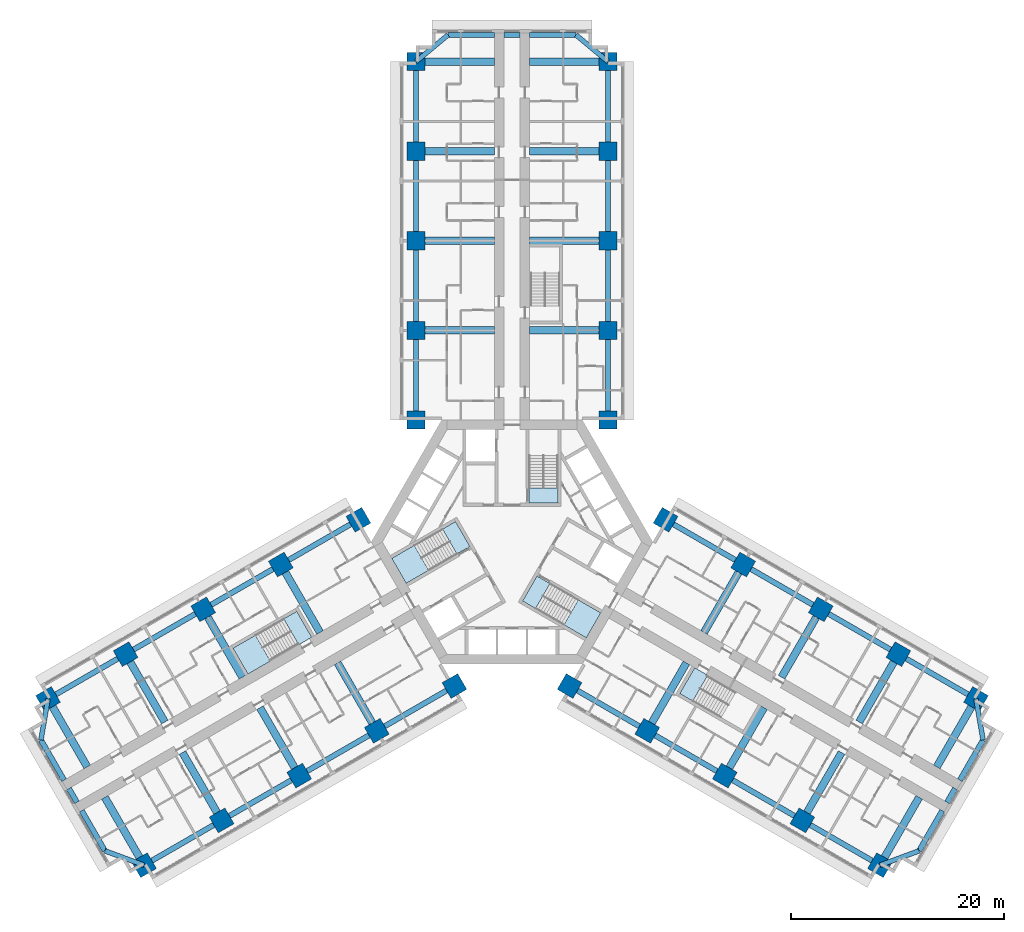
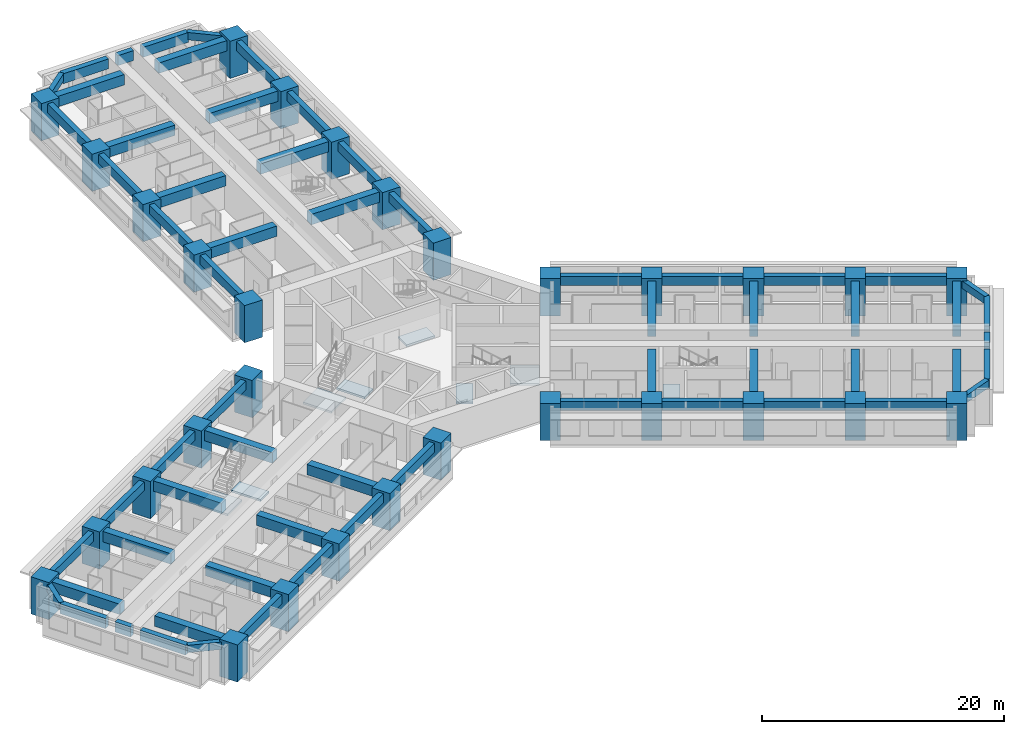
# One storey, part 1 of 16: 63 beams, 30 columns, 8 slabs, 5 elements without a shape of their own.
"""IFC4 building model written with IfcOpenShell, lengths in metres."""

import ifcopenshell
import ifcopenshell.guid

model = None  # the IFC model being written
_history = None  # IfcOwnerHistory: only IFC2X3 demands one
_inside = {}  # id of a spatial element -> (the spatial element, [elements in it])
_under = {}  # id of a project, library or spatial element -> (it, [spatial elements below it])
_declared = {}  # id of a project -> (the project, [libraries it declares])
_typed = {}  # id of a type object -> (the type object, [elements of that type])
_made_of = {}  # id of a material, layer set ... -> (it, [elements and type objects made of it])


def new_model(schema):
    """Start an empty IFC model of exactly this schema.

    Asked for "IFC4X3", IfcOpenShell would pick the latest addendum, in which some entities
    have other attributes; the version numbers below select the first issue.
    IFC2X3 requires an IfcOwnerHistory on every rooted entity: one is made here for all.
    """
    global model, _history
    if schema == "IFC4X3":
        model = ifcopenshell.file(schema_version=(4, 3, 0, 0))
    else:
        model = ifcopenshell.file(schema=schema)
    _inside.clear()
    _under.clear()
    _declared.clear()
    _typed.clear()
    _made_of.clear()
    _history = None
    if model.schema == "IFC2X3":
        org = make("IfcOrganization", Name="unknown")
        user = make(
            "IfcPersonAndOrganization",
            ThePerson=make("IfcPerson", FamilyName="unknown"),
            TheOrganization=org,
        )
        app = make(
            "IfcApplication",
            ApplicationDeveloper=org,
            Version="unknown",
            ApplicationFullName="unknown",
            ApplicationIdentifier="unknown",
        )
        _history = make(
            "IfcOwnerHistory",
            OwningUser=user,
            OwningApplication=app,
            ChangeAction="ADDED",
            CreationDate=0,
        )
    return model


def make(cls, **values):
    """One entity of the class cls with the attributes given. An attribute that is None is left unset."""
    return model.create_entity(
        cls, **{name: value for name, value in values.items() if value is not None}
    )


def rooted(cls, **values):
    """An entity with a GlobalId (a new one), such as an element, a storey or a relation."""
    return make(cls, GlobalId=ifcopenshell.guid.new(), OwnerHistory=_history, **values)


def si_unit(unit_type, name, prefix=None):
    """IfcSIUnit, for example si_unit("LENGTHUNIT", "METRE", prefix="MILLI")."""
    return make("IfcSIUnit", UnitType=unit_type, Prefix=prefix, Name=name)


def assignment(units):
    """IfcUnitAssignment: the units of a project."""
    return None if units is None else make("IfcUnitAssignment", Units=units)


def point(xyz):
    """IfcCartesianPoint."""
    return None if xyz is None else make("IfcCartesianPoint", Coordinates=xyz)


def direction(xyz):
    """IfcDirection."""
    return None if xyz is None else make("IfcDirection", DirectionRatios=xyz)


def frame(location, z_axis=None, x_axis=None):
    """IfcAxis2Placement3D, a coordinate frame: its origin and axes. An axis left out is left unset."""
    return make(
        "IfcAxis2Placement3D",
        Location=point(location),
        Axis=direction(z_axis),
        RefDirection=direction(x_axis),
    )


def frame_2d(location, x_axis=None):
    """IfcAxis2Placement2D, a coordinate frame in the plane: its origin and x axis."""
    return make(
        "IfcAxis2Placement2D", Location=point(location), RefDirection=direction(x_axis)
    )


def origin():
    """The frame at (0, 0, 0) with its axes left unset."""
    return frame((0.0, 0.0, 0.0))


def origin_2d():
    """The frame at (0, 0) in the plane with its x axis left unset."""
    return frame_2d((0.0, 0.0))


def place(relative_to, where):
    """IfcLocalPlacement: puts the frame where relative to a parent placement (None: the world)."""
    return make(
        "IfcLocalPlacement", PlacementRelTo=relative_to, RelativePlacement=where
    )


def context(
    kind, dimensions, precision=None, world=None, true_north=None, identifier=None
):
    """IfcGeometricRepresentationContext, for example the 3D "Model" context."""
    return make(
        "IfcGeometricRepresentationContext",
        ContextIdentifier=identifier,
        ContextType=kind,
        CoordinateSpaceDimension=dimensions,
        Precision=precision,
        WorldCoordinateSystem=world,
        TrueNorth=true_north,
    )


def subcontext(parent, identifier, kind, view, scale=None):
    """IfcGeometricRepresentationSubContext, for example "Body" below "Model"."""
    return make(
        "IfcGeometricRepresentationSubContext",
        ContextIdentifier=identifier,
        ContextType=kind,
        ParentContext=parent,
        TargetScale=scale,
        TargetView=view,
    )


def project(units=None, contexts=None):
    """IfcProject with its units and contexts."""
    return rooted(
        "IfcProject",
        Name="project",
        RepresentationContexts=contexts,
        UnitsInContext=assignment(units),
    )


def spatial(cls, under=None, at=None, **own):
    """A site, building, storey or space (cls), placed at a placement, below another one or the project."""
    s = rooted(cls, ObjectPlacement=at, **own)
    if under is not None:
        _under.setdefault(under.id(), (under, []))[1].append(s)
    return s


def polyline(points):
    """IfcPolyline through the points."""
    return make("IfcPolyline", Points=[point(p) for p in points])


def profile(cls, at=None, kind="AREA", **sizes):
    """A parametric profile (cls). Its sizes go by their IFC names, for example OverallWidth=200.0."""
    return make(cls, ProfileType=kind, Position=at, **sizes)


def rectangle(**sizes):
    """IfcRectangleProfileDef."""
    return profile("IfcRectangleProfileDef", **sizes)


def outline(outer, holes=None, kind="AREA"):
    """IfcArbitraryClosedProfileDef: a profile drawn as a closed curve; with holes, ...WithVoids."""
    if holes is None:
        return make("IfcArbitraryClosedProfileDef", ProfileType=kind, OuterCurve=outer)
    return make(
        "IfcArbitraryProfileDefWithVoids",
        ProfileType=kind,
        OuterCurve=outer,
        InnerCurves=holes,
    )


def extrude(swept, where, along, depth):
    """IfcExtrudedAreaSolid: the profile swept, set in the frame where, extruded along a direction by depth."""
    return make(
        "IfcExtrudedAreaSolid",
        SweptArea=swept,
        Position=where,
        ExtrudedDirection=direction(along),
        Depth=depth,
    )


def shape(context_of_items, identifier, shape_type, items):
    """IfcShapeRepresentation: the items that make up one representation, for example the "Body"."""
    return make(
        "IfcShapeRepresentation",
        ContextOfItems=context_of_items,
        RepresentationIdentifier=identifier,
        RepresentationType=shape_type,
        Items=items,
    )


def material(Name=None, Category=None):
    """IfcMaterial."""
    return make("IfcMaterial", Name=Name, Category=Category)


def layer(
    of_material, thickness, ventilated=None, Name=None, Category=None, Priority=None
):
    """IfcMaterialLayer: one layer of a wall or slab, of a material (None: an air gap)."""
    return make(
        "IfcMaterialLayer",
        Material=of_material,
        LayerThickness=thickness,
        IsVentilated=ventilated,
        Name=Name,
        Category=Category,
        Priority=Priority,
    )


def layer_set(layers, Name=None):
    """IfcMaterialLayerSet."""
    return make("IfcMaterialLayerSet", MaterialLayers=layers, LayerSetName=Name)


def material_profile(
    of_material, cross_section, Name=None, Category=None, Priority=None
):
    """IfcMaterialProfile: a cross section and its material."""
    return make(
        "IfcMaterialProfile",
        Name=Name,
        Material=of_material,
        Profile=cross_section,
        Priority=Priority,
        Category=Category,
    )


def profile_set(profiles, Name=None, composite=None):
    """IfcMaterialProfileSet."""
    return make(
        "IfcMaterialProfileSet",
        Name=Name,
        MaterialProfiles=profiles,
        CompositeProfile=composite,
    )


def made_of(thing, what):
    """Note that an element or type object is made of a material, layer set ...; save() writes the relation."""
    if what is not None:
        _made_of.setdefault(what.id(), (what, []))[1].append(thing)
    return thing


def type_object(cls, material=None, **own):
    """A type object (cls), such as IfcWallType, which elements share."""
    return made_of(rooted(cls, **own), material)


def element(
    cls,
    number,
    at=None,
    inside=None,
    cuts=None,
    type_object=None,
    material=None,
    context=None,
    identifier="Body",
    shape_type=None,
    held_by="IfcProductDefinitionShape",
    body=None,
    shapes=None,
    **own,
):
    """One element of the class cls, such as IfcWall. Its Tag is "e" and its number.

    at: its placement. inside: the storey or other place that contains it. cuts: it is an
    opening in that element (IfcRelVoidsElement). A single representation is given by context,
    identifier, shape_type and body (its items); several are given by shapes. held_by: the class
    of the entity that holds the representations. save() writes the other relations.
    """
    e = rooted(cls, Tag="e%d" % number, ObjectPlacement=at, **own)
    if body is not None:
        shapes = [shape(context, identifier, shape_type, body)]
    if shapes is not None:
        e.Representation = make(held_by, Representations=shapes)
    if inside is not None:
        _inside.setdefault(inside.id(), (inside, []))[1].append(e)
    if cuts is not None:
        rooted(
            "IfcRelVoidsElement", RelatingBuildingElement=cuts, RelatedOpeningElement=e
        )
    if type_object is not None:
        _typed.setdefault(type_object.id(), (type_object, []))[1].append(e)
    return made_of(e, material)


def aggregate(whole, parts):
    """IfcRelAggregates: a whole, such as a stair, and the parts it consists of."""
    return rooted("IfcRelAggregates", RelatingObject=whole, RelatedObjects=parts)


def save(model, path):
    """Write the relations noted so far, then the file.

    IfcRelAggregates (storeys below a building ...), IfcRelContainedInSpatialStructure (elements
    in a storey), IfcRelDefinesByType, IfcRelAssociatesMaterial and IfcRelDeclares: one each for
    every whole, place, type object, material and project.
    """
    for whole, parts in _under.values():
        aggregate(whole, parts)
    for where, things in _inside.values():
        rooted(
            "IfcRelContainedInSpatialStructure",
            RelatedElements=things,
            RelatingStructure=where,
        )
    for kind, things in _typed.values():
        rooted("IfcRelDefinesByType", RelatedObjects=things, RelatingType=kind)
    for what, things in _made_of.values():
        rooted("IfcRelAssociatesMaterial", RelatedObjects=things, RelatingMaterial=what)
    for by, libraries in _declared.values():
        rooted("IfcRelDeclares", RelatingContext=by, RelatedDefinitions=libraries)
    model.write(path)


model = new_model("IFC4")

# Units and contexts
model_context = context("Model", 3, precision=1e-05, world=origin(), true_north=direction((0.0, 1.0)))
body_context = subcontext(model_context, "Body", "Model", "MODEL_VIEW")
ifc_project = project(units=[si_unit("LENGTHUNIT", "METRE"), si_unit("AREAUNIT", "SQUARE_METRE"), si_unit("VOLUMEUNIT", "CUBIC_METRE"), si_unit("PLANEANGLEUNIT", "RADIAN"), si_unit("MASSUNIT", "GRAM", prefix="KILO")], contexts=[model_context])

# Site, building, storey
site_placement = place(None, origin())
site = spatial("IfcSite", under=ifc_project, at=site_placement, CompositionType="ELEMENT")
building_placement = place(site_placement, origin())
building = spatial("IfcBuilding", under=site, at=building_placement, Name="Impinga Residences", CompositionType="ELEMENT")
storey_placement = place(building_placement, frame((0.0, 0.0, 48.5)))
storey = spatial("IfcBuildingStorey", under=building, at=storey_placement, Name="L11", CompositionType="ELEMENT", Elevation=48.5)

# Columns
ifc_material_1 = material(Name="Concrete C70/85", Category="concrete")
ifc_material_profile_1 = material_profile(ifc_material_1, rectangle(XDim=1.699951171875, YDim=1.699951171875, at=origin_2d()), Name="RC 1700x1700")
ifc_profile_set_1 = profile_set([ifc_material_profile_1], Name="Concrete C70/85")
column_type = type_object("IfcColumnType", Name="C10 1700x1700 column", PredefinedType="COLUMN", material=ifc_profile_set_1)
for number, where, z_axis, x_axis, name in (
    (1, (-9.0, 11.431640625, 0.0), (0.0, 0.0, 1.0), (1.0, 0.0, 0.0), "Column C10 N1/NA L11"),
    (2, (9.0, 11.431640625, 0.0), (0.0, 0.0, 1.0), (1.0, 0.0, 0.0), "Column C10 N1/NF L11"),
    (3, (-9.0, 19.83154296875, 0.0), (0.0, 0.0, 1.0), (1.0, 0.0, 0.0), "Column C10 N2/NA L11"),
    (4, (9.0, 19.83154296875, 0.0), (0.0, 0.0, 1.0), (1.0, 0.0, 0.0), "Column C10 N2/NF L11"),
    (5, (-9.0, 28.2314453125, 0.0), (0.0, 0.0, 1.0), (1.0, 0.0, 0.0), "Column C10 N3/NA L11"),
    (6, (9.0, 28.2314453125, 0.0), (0.0, 0.0, 1.0), (1.0, 0.0, 0.0), "Column C10 N3/NF L11"),
    (7, (-9.0, 36.631591796875, 0.0), (0.0, 0.0, 1.0), (1.0, 0.0, 0.0), "Column C10 N4/NA L11"),
    (8, (9.0, 36.631591796875, 0.0), (0.0, 0.0, 1.0), (1.0, 0.0, 0.0), "Column C10 N4/NF L11"),
    (9, (-9.0, 45.031494140625, 0.0), (0.0, 0.0, 1.0), (1.0, 0.0, 0.0), "Column C10 N5/NA L11"),
    (10, (9.0, 45.031494140625, 0.0), (0.0, 0.0, 1.0), (1.0, 0.0, 0.0), "Column C10 N5/NF L11"),
    (11, (-5.39990234375, -13.510009765625, 0.0), (0.0, 0.0, 1.0), (-0.5, 0.866025403784, 0.0), "Column C10 W1/WA L11"),
    (12, (-14.39990234375, 2.078369140625, 0.0), (0.0, 0.0, 1.0), (-0.5, 0.866025403784, 0.0), "Column C10 W1/WF L11"),
    (13, (-12.674560546875, -17.7099609375, 0.0), (0.0, 0.0, 1.0), (-0.5, 0.866025403784, 0.0), "Column C10 W2/WA L11"),
    (14, (-21.674560546875, -2.12158203125, 0.0), (0.0, 0.0, 1.0), (-0.5, 0.866025403784, 0.0), "Column C10 W2/WF L11"),
    (15, (-19.94921875, -21.909912109375, 0.0), (0.0, 0.0, 1.0), (-0.5, 0.866025403784, 0.0), "Column C10 W3/WA L11"),
    (16, (-28.94921875, -6.321533203125, 0.0), (0.0, 0.0, 1.0), (-0.5, 0.866025403784, 0.0), "Column C10 W3/WF L11"),
    (17, (-27.223876953125, -26.110107421875, 0.0), (0.0, 0.0, 1.0), (-0.5, 0.866025403784, 0.0), "Column C10 W4/WA L11"),
    (18, (-36.223876953125, -10.521484375, 0.0), (0.0, 0.0, 1.0), (-0.5, 0.866025403784, 0.0), "Column C10 W4/WF L11"),
    (19, (-34.49853515625, -30.31005859375, 0.0), (0.0, 0.0, 1.0), (-0.5, 0.866025403784, 0.0), "Column C10 W5/WA L11"),
    (20, (-43.49853515625, -14.721435546875, 0.0), (0.0, 0.0, 1.0), (-0.5, 0.866025403784, 0.0), "Column C10 W5/WF L11"),
    (21, (14.39990234375, 2.078369140625, 0.0), (0.0, 0.0, 1.0), (-0.5, -0.866025403784, 0.0), "Column C10 E1/EA L11"),
    (22, (5.39990234375, -13.510009765625, 0.0), (0.0, 0.0, 1.0), (-0.5, -0.866025403784, 0.0), "Column C10 E1/EF L11"),
    (23, (21.674560546875, -2.12158203125, 0.0), (0.0, 0.0, 1.0), (-0.5, -0.866025403784, 0.0), "Column C10 E2/EA L11"),
    (24, (12.674560546875, -17.7099609375, 0.0), (0.0, 0.0, 1.0), (-0.5, -0.866025403784, 0.0), "Column C10 E2/EF L11"),
    (25, (28.94921875, -6.321533203125, 0.0), (0.0, 0.0, 1.0), (-0.5, -0.866025403784, 0.0), "Column C10 E3/EA L11"),
    (26, (19.94921875, -21.909912109375, 0.0), (0.0, 0.0, 1.0), (-0.5, -0.866025403784, 0.0), "Column C10 E3/EF L11"),
    (27, (36.223876953125, -10.521484375, 0.0), (0.0, 0.0, 1.0), (-0.5, -0.866025403784, 0.0), "Column C10 E4/EA L11"),
    (28, (27.223876953125, -26.110107421875, 0.0), (0.0, 0.0, 1.0), (-0.5, -0.866025403784, 0.0), "Column C10 E4/EF L11"),
    (29, (43.49853515625, -14.721435546875, 0.0), (0.0, 0.0, 1.0), (-0.5, -0.866025403784, 0.0), "Column C10 E5/EA L11"),
    (30, (34.49853515625, -30.31005859375, 0.0), (0.0, 0.0, 1.0), (-0.5, -0.866025403784, 0.0), "Column C10 E5/EF L11"),
):
    element("IfcColumn", number, at=place(storey_placement, frame(where, z_axis=z_axis, x_axis=x_axis)), inside=storey, type_object=column_type, Name=name, PredefinedType="COLUMN", context=body_context, shape_type="SweptSolid", body=[
        extrude(rectangle(XDim=1.699951171875, YDim=1.699951171875, at=origin_2d()), origin(), (0.0, 0.0, 1.0), 3.75),
    ])

# Beams
ifc_material_2 = material(Name="Concrete C60/75", Category="concrete")
ifc_material_profile_2 = material_profile(ifc_material_2, rectangle(XDim=0.449951171875, YDim=0.75, at=origin_2d()), Name="RC 450x750")
ifc_profile_set_2 = profile_set([ifc_material_profile_2], Name="Concrete C60/75")
beam_type_1 = type_object("IfcBeamType", Name="CB1 450x750 wing end cantilever beam", PredefinedType="BEAM", material=ifc_profile_set_2)
for number, where, z_axis, x_axis, name in (
    (31, (-9.0, 45.031494140625, 3.155029296875), (0.768221279597, 0.640184399664, 0.0), (-0.640184399664, 0.768221279597, 0.0), "Beam CB1 NB N5-NX level L12"),
    (32, (9.0, 45.031494140625, 3.155029296875), (-0.768221279597, 0.640184399664, 0.0), (-0.640184399664, -0.768221279597, 0.0), "Beam CB1 NE N5-NX level L12"),
    (33, (-34.49853515625, -30.31005859375, 3.155029296875), (-0.938520178725, 0.345224382289, 0.0), (-0.345224382289, -0.938520178725, 0.0), "Beam CB1 WB W5-WX level L12"),
):
    element("IfcBeam", number, at=place(storey_placement, frame(where, z_axis=z_axis, x_axis=x_axis)), inside=storey, type_object=beam_type_1, Name=name, PredefinedType="BEAM", context=body_context, shape_type="SweptSolid", body=[
        extrude(rectangle(XDim=0.449951171875, YDim=0.75, at=origin_2d()), origin(), (0.0, 0.0, 1.0), 3.905029296875),
    ])
for number, where, z_axis, x_axis, name in (
    (34, (-43.49853515625, -14.721435546875, 3.155029296875), (-0.170296298948, -0.985392901621, 0.0), (0.985392901621, -0.170296298948, 0.0), "Beam CB1 WE W5-WX level L12"),
    (35, (43.49853515625, -14.721435546875, 3.155029296875), (0.170296298948, -0.985392901621, 0.0), (0.985392901621, 0.170296298948, 0.0), "Beam CB1 EB E5-EX level L12"),
):
    element("IfcBeam", number, at=place(storey_placement, frame(where, z_axis=z_axis, x_axis=x_axis)), inside=storey, type_object=beam_type_1, Name=name, PredefinedType="BEAM", context=body_context, shape_type="SweptSolid", body=[
        extrude(rectangle(XDim=0.449951171875, YDim=0.75, at=origin_2d()), origin(), (0.0, 0.0, 1.0), 3.9052734375),
    ])
beam_1_placement = place(storey_placement, frame((34.49853515625, -30.31005859375, 3.155029296875), z_axis=(0.938520178725, 0.345224382289, 0.0), x_axis=(-0.345224382289, 0.938520178725, 0.0)))
element("IfcBeam", 36, at=beam_1_placement, inside=storey, type_object=beam_type_1, Name="Beam CB1 EE E5-EX level L12", PredefinedType="BEAM", context=body_context, shape_type="SweptSolid", body=[
    extrude(rectangle(XDim=0.449951171875, YDim=0.75, at=origin_2d()), origin(), (0.0, 0.0, 1.0), 3.905029296875),
])
ifc_material_profile_3 = material_profile(ifc_material_2, rectangle(XDim=0.699951171875, YDim=1.050048828125, at=origin_2d()), Name="RC 700x1050")
ifc_profile_set_3 = profile_set([ifc_material_profile_3], Name="Concrete C60/75")
beam_type_2 = type_object("IfcBeamType", Name="CG1 700x1050 cross girder on a wing bay line", PredefinedType="BEAM", material=ifc_profile_set_3)
for number, where, z_axis, x_axis, name in (
    (37, (-1.64990234375, 19.83154296875, 3.0048828125), (-1.0, 0.0, 0.0), (0.0, -1.0, 0.0), "Beam CG1 N2 NC/NA level L12"),
    (38, (-1.64990234375, 28.2314453125, 3.0048828125), (-1.0, 0.0, 0.0), (0.0, -1.0, 0.0), "Beam CG1 N3 NC/NA level L12"),
    (39, (-1.64990234375, 36.631591796875, 3.0048828125), (-1.0, 0.0, 0.0), (0.0, -1.0, 0.0), "Beam CG1 N4 NC/NA level L12"),
    (40, (-1.64990234375, 45.031494140625, 3.0048828125), (-1.0, 0.0, 0.0), (0.0, -1.0, 0.0), "Beam CG1 N5 NC/NA level L12"),
    (41, (1.64990234375, 19.83154296875, 3.0048828125), (1.0, 0.0, 0.0), (0.0, 1.0, 0.0), "Beam CG1 N2 NC/NF level L12"),
    (42, (1.64990234375, 28.2314453125, 3.0048828125), (1.0, 0.0, 0.0), (0.0, 1.0, 0.0), "Beam CG1 N3 NC/NF level L12"),
    (43, (1.64990234375, 36.631591796875, 3.0048828125), (1.0, 0.0, 0.0), (0.0, 1.0, 0.0), "Beam CG1 N4 NC/NF level L12"),
    (44, (1.64990234375, 45.031494140625, 3.0048828125), (1.0, 0.0, 0.0), (0.0, 1.0, 0.0), "Beam CG1 N5 NC/NF level L12"),
    (45, (-16.349609375, -11.3447265625, 3.0048828125), (0.500008066151, -0.86602074674, 0.0), (0.86602074674, 0.500008066151, 0.0), "Beam CG1 W2 WC/WA level L12"),
    (46, (-23.624267578125, -15.544677734375, 3.0048828125), (0.500008066151, -0.86602074674, 0.0), (0.86602074674, 0.500008066151, 0.0), "Beam CG1 W3 WC/WA level L12"),
    (47, (-30.89892578125, -19.74462890625, 3.0048828125), (0.499993683172, -0.866029050776, 0.0), (0.866029050776, 0.499993683172, 0.0), "Beam CG1 W4 WC/WA level L12"),
):
    element("IfcBeam", number, at=place(storey_placement, frame(where, z_axis=z_axis, x_axis=x_axis)), inside=storey, type_object=beam_type_2, Name=name, PredefinedType="BEAM", context=body_context, shape_type="SweptSolid", body=[
        extrude(rectangle(XDim=0.699951171875, YDim=1.050048828125, at=origin_2d()), origin(), (0.0, 0.0, 1.0), 7.35009765625),
    ])
beam_2_placement = place(storey_placement, frame((-38.17333984375, -23.94482421875, 3.0048828125), z_axis=(0.499983153418, -0.866035129944, 0.0), x_axis=(0.866035129944, 0.499983153418, 0.0)))
element("IfcBeam", 48, at=beam_2_placement, inside=storey, type_object=beam_type_2, Name="Beam CG1 W5 WC/WA level L12", PredefinedType="BEAM", context=body_context, shape_type="SweptSolid", body=[
    extrude(rectangle(XDim=0.699951171875, YDim=1.050048828125, at=origin_2d()), origin(), (0.0, 0.0, 1.0), 7.349853515625),
])
for number, where, z_axis, x_axis, name in (
    (49, (-17.99951171875, -8.48681640625, 3.0048828125), (-0.500008066151, 0.86602074674, 0.0), (-0.86602074674, -0.500008066151, 0.0), "Beam CG1 W2 WC/WF level L12"),
    (50, (-25.274169921875, -12.686767578125, 3.0048828125), (-0.500008066151, 0.86602074674, 0.0), (-0.86602074674, -0.500008066151, 0.0), "Beam CG1 W3 WC/WF level L12"),
    (51, (-32.548828125, -16.88671875, 3.0048828125), (-0.500008066151, 0.86602074674, 0.0), (-0.86602074674, -0.500008066151, 0.0), "Beam CG1 W4 WC/WF level L12"),
    (52, (-39.823486328125, -21.0869140625, 3.0048828125), (-0.499993683172, 0.866029050776, 0.0), (-0.866029050776, -0.499993683172, 0.0), "Beam CG1 W5 WC/WF level L12"),
    (53, (17.99951171875, -8.48681640625, 3.0048828125), (0.500008066151, 0.86602074674, 0.0), (-0.86602074674, 0.500008066151, 0.0), "Beam CG1 E2 EC/EA level L12"),
    (54, (25.274169921875, -12.686767578125, 3.0048828125), (0.500008066151, 0.86602074674, 0.0), (-0.86602074674, 0.500008066151, 0.0), "Beam CG1 E3 EC/EA level L12"),
    (55, (32.548828125, -16.88671875, 3.0048828125), (0.500008066151, 0.86602074674, 0.0), (-0.86602074674, 0.500008066151, 0.0), "Beam CG1 E4 EC/EA level L12"),
    (56, (39.823486328125, -21.0869140625, 3.0048828125), (0.499993683172, 0.866029050776, 0.0), (-0.866029050776, 0.499993683172, 0.0), "Beam CG1 E5 EC/EA level L12"),
    (57, (16.349609375, -11.3447265625, 3.0048828125), (-0.500008066151, -0.86602074674, 0.0), (0.86602074674, -0.500008066151, 0.0), "Beam CG1 E2 EC/EF level L12"),
    (58, (23.624267578125, -15.544677734375, 3.0048828125), (-0.500008066151, -0.86602074674, 0.0), (0.86602074674, -0.500008066151, 0.0), "Beam CG1 E3 EC/EF level L12"),
    (59, (30.89892578125, -19.74462890625, 3.0048828125), (-0.499993683172, -0.866029050776, 0.0), (0.866029050776, -0.499993683172, 0.0), "Beam CG1 E4 EC/EF level L12"),
):
    element("IfcBeam", number, at=place(storey_placement, frame(where, z_axis=z_axis, x_axis=x_axis)), inside=storey, type_object=beam_type_2, Name=name, PredefinedType="BEAM", context=body_context, shape_type="SweptSolid", body=[
        extrude(rectangle(XDim=0.699951171875, YDim=1.050048828125, at=origin_2d()), origin(), (0.0, 0.0, 1.0), 7.35009765625),
    ])
beam_3_placement = place(storey_placement, frame((38.17333984375, -23.94482421875, 3.0048828125), z_axis=(-0.499983153418, -0.866035129944, 0.0), x_axis=(0.866035129944, -0.499983153418, 0.0)))
element("IfcBeam", 60, at=beam_3_placement, inside=storey, type_object=beam_type_2, Name="Beam CG1 E5 EC/EF level L12", PredefinedType="BEAM", context=body_context, shape_type="SweptSolid", body=[
    extrude(rectangle(XDim=0.699951171875, YDim=1.050048828125, at=origin_2d()), origin(), (0.0, 0.0, 1.0), 7.349853515625),
])
ifc_material_profile_4 = material_profile(ifc_material_2, rectangle(XDim=0.5, YDim=1.0, at=origin_2d()), Name="RC 500x1000")
ifc_profile_set_4 = profile_set([ifc_material_profile_4], Name="Concrete C60/75")
beam_type_3 = type_object("IfcBeamType", Name="EB1 500x1000 wing end beam", PredefinedType="BEAM", material=ifc_profile_set_4)
beam_4_placement = place(storey_placement, frame((-6.0, 47.531494140625, 3.030029296875), z_axis=(1.0, 0.0, 0.0), x_axis=(0.0, 1.0, 0.0)))
element("IfcBeam", 61, at=beam_4_placement, inside=storey, type_object=beam_type_3, Name="Beam EB1 NX4 level L12", PredefinedType="BEAM", context=body_context, shape_type="SweptSolid", body=[
    extrude(rectangle(XDim=0.5, YDim=1.0, at=origin_2d()), origin(), (0.0, 0.0, 1.0), 4.35009765625),
])
beam_5_placement = place(storey_placement, frame((-0.75, 47.531494140625, 3.030029296875), z_axis=(1.0, 0.0, 0.0), x_axis=(0.0, 1.0, 0.0)))
element("IfcBeam", 62, at=beam_5_placement, inside=storey, type_object=beam_type_3, Name="Beam EB1 NX4 level L12", PredefinedType="BEAM", context=body_context, shape_type="SweptSolid", body=[
    extrude(rectangle(XDim=0.5, YDim=1.0, at=origin_2d()), origin(), (0.0, 0.0, 1.0), 1.5),
])
beam_6_placement = place(storey_placement, frame((1.64990234375, 47.531494140625, 3.030029296875), z_axis=(1.0, 0.0, 0.0), x_axis=(0.0, 1.0, 0.0)))
element("IfcBeam", 63, at=beam_6_placement, inside=storey, type_object=beam_type_3, Name="Beam EB1 NX4 level L12", PredefinedType="BEAM", context=body_context, shape_type="SweptSolid", body=[
    extrude(rectangle(XDim=0.5, YDim=1.0, at=origin_2d()), origin(), (0.0, 0.0, 1.0), 4.35009765625),
])
beam_7_placement = place(storey_placement, frame((-38.16357421875, -28.9619140625, 3.030029296875), z_axis=(-0.500020430026, 0.866013608182, 0.0), x_axis=(-0.866013608182, -0.500020430026, 0.0)))
element("IfcBeam", 64, at=beam_7_placement, inside=storey, type_object=beam_type_3, Name="Beam EB1 WX4 level L12", PredefinedType="BEAM", context=body_context, shape_type="SweptSolid", body=[
    extrude(rectangle(XDim=0.5, YDim=1.0, at=origin_2d()), origin(), (0.0, 0.0, 1.0), 4.349853515625),
])
beam_8_placement = place(storey_placement, frame((-40.78857421875, -24.415283203125, 3.030029296875), z_axis=(-0.499990139034, 0.866031096941, 0.0), x_axis=(-0.866031096941, -0.499990139034, 0.0)))
element("IfcBeam", 65, at=beam_8_placement, inside=storey, type_object=beam_type_3, Name="Beam EB1 WX4 level L12", PredefinedType="BEAM", context=body_context, shape_type="SweptSolid", body=[
    extrude(rectangle(XDim=0.5, YDim=1.0, at=origin_2d()), origin(), (0.0, 0.0, 1.0), 1.5),
])
for number, where, z_axis, x_axis, name in (
    (66, (-41.988525390625, -22.3369140625, 3.030029296875), (-0.499996127374, 0.866027639635, 0.0), (-0.866027639635, -0.499996127374, 0.0), "Beam EB1 WX4 level L12"),
    (67, (44.16357421875, -18.569580078125, 3.030029296875), (-0.499996127374, -0.866027639635, 0.0), (0.866027639635, -0.499996127374, 0.0), "Beam EB1 EX4 level L12"),
):
    element("IfcBeam", number, at=place(storey_placement, frame(where, z_axis=z_axis, x_axis=x_axis)), inside=storey, type_object=beam_type_3, Name=name, PredefinedType="BEAM", context=body_context, shape_type="SweptSolid", body=[
        extrude(rectangle(XDim=0.5, YDim=1.0, at=origin_2d()), origin(), (0.0, 0.0, 1.0), 4.35009765625),
    ])
beam_9_placement = place(storey_placement, frame((41.53857421875, -23.1162109375, 3.030029296875), z_axis=(-0.499990139034, -0.866031096941, 0.0), x_axis=(0.866031096941, -0.499990139034, 0.0)))
element("IfcBeam", 68, at=beam_9_placement, inside=storey, type_object=beam_type_3, Name="Beam EB1 EX4 level L12", PredefinedType="BEAM", context=body_context, shape_type="SweptSolid", body=[
    extrude(rectangle(XDim=0.5, YDim=1.0, at=origin_2d()), origin(), (0.0, 0.0, 1.0), 1.5),
])
beam_10_placement = place(storey_placement, frame((40.338623046875, -25.19482421875, 3.030029296875), z_axis=(-0.500020430026, -0.866013608182, 0.0), x_axis=(0.866013608182, -0.500020430026, 0.0)))
element("IfcBeam", 69, at=beam_10_placement, inside=storey, type_object=beam_type_3, Name="Beam EB1 EX4 level L12", PredefinedType="BEAM", context=body_context, shape_type="SweptSolid", body=[
    extrude(rectangle(XDim=0.5, YDim=1.0, at=origin_2d()), origin(), (0.0, 0.0, 1.0), 4.349853515625),
])
ifc_material_profile_5 = material_profile(ifc_material_2, rectangle(XDim=0.5, YDim=0.89990234375, at=origin_2d()), Name="RC 500x900")
ifc_profile_set_5 = profile_set([ifc_material_profile_5], Name="Concrete C60/75")
beam_type_4 = type_object("IfcBeamType", Name="SB1 500x900 perimeter spandrel beam", PredefinedType="SPANDREL", material=ifc_profile_set_5)
for number, where, z_axis, x_axis, name in (
    (70, (-9.0, 11.431640625, 3.080078125), (0.0, 1.0, 0.0), (-1.0, 0.0, 0.0), "Beam SB1 NA N1-N2 level L12"),
    (71, (-9.0, 19.83154296875, 3.080078125), (0.0, 1.0, 0.0), (-1.0, 0.0, 0.0), "Beam SB1 NA N2-N3 level L12"),
):
    element("IfcBeam", number, at=place(storey_placement, frame(where, z_axis=z_axis, x_axis=x_axis)), inside=storey, type_object=beam_type_4, Name=name, PredefinedType="SPANDREL", context=body_context, shape_type="SweptSolid", body=[
        extrude(rectangle(XDim=0.5, YDim=0.89990234375, at=origin_2d()), origin(), (0.0, 0.0, 1.0), 8.39990234375),
    ])
beam_11_placement = place(storey_placement, frame((-9.0, 28.2314453125, 3.080078125), z_axis=(0.0, 1.0, 0.0), x_axis=(-1.0, 0.0, 0.0)))
element("IfcBeam", 72, at=beam_11_placement, inside=storey, type_object=beam_type_4, Name="Beam SB1 NA N3-N4 level L12", PredefinedType="SPANDREL", context=body_context, shape_type="SweptSolid", body=[
    extrude(rectangle(XDim=0.5, YDim=0.89990234375, at=origin_2d()), origin(), (0.0, 0.0, 1.0), 8.400146484375),
])
for number, where, z_axis, x_axis, name in (
    (73, (-9.0, 36.631591796875, 3.080078125), (0.0, 1.0, 0.0), (-1.0, 0.0, 0.0), "Beam SB1 NA N4-N5 level L12"),
    (74, (9.0, 11.431640625, 3.080078125), (0.0, 1.0, 0.0), (-1.0, 0.0, 0.0), "Beam SB1 NF N1-N2 level L12"),
    (75, (9.0, 19.83154296875, 3.080078125), (0.0, 1.0, 0.0), (-1.0, 0.0, 0.0), "Beam SB1 NF N2-N3 level L12"),
):
    element("IfcBeam", number, at=place(storey_placement, frame(where, z_axis=z_axis, x_axis=x_axis)), inside=storey, type_object=beam_type_4, Name=name, PredefinedType="SPANDREL", context=body_context, shape_type="SweptSolid", body=[
        extrude(rectangle(XDim=0.5, YDim=0.89990234375, at=origin_2d()), origin(), (0.0, 0.0, 1.0), 8.39990234375),
    ])
beam_12_placement = place(storey_placement, frame((9.0, 28.2314453125, 3.080078125), z_axis=(0.0, 1.0, 0.0), x_axis=(-1.0, 0.0, 0.0)))
element("IfcBeam", 76, at=beam_12_placement, inside=storey, type_object=beam_type_4, Name="Beam SB1 NF N3-N4 level L12", PredefinedType="SPANDREL", context=body_context, shape_type="SweptSolid", body=[
    extrude(rectangle(XDim=0.5, YDim=0.89990234375, at=origin_2d()), origin(), (0.0, 0.0, 1.0), 8.400146484375),
])
for number, where, z_axis, x_axis, name in (
    (77, (9.0, 36.631591796875, 3.080078125), (0.0, 1.0, 0.0), (-1.0, 0.0, 0.0), "Beam SB1 NF N4-N5 level L12"),
    (78, (-5.39990234375, -13.510009765625, 3.080078125), (-0.86602925447, -0.499993330357, 0.0), (0.499993330357, -0.86602925447, 0.0), "Beam SB1 WA W1-W2 level L12"),
    (79, (-12.674560546875, -17.7099609375, 3.080078125), (-0.86602925447, -0.499993330357, 0.0), (0.499993330357, -0.86602925447, 0.0), "Beam SB1 WA W2-W3 level L12"),
):
    element("IfcBeam", number, at=place(storey_placement, frame(where, z_axis=z_axis, x_axis=x_axis)), inside=storey, type_object=beam_type_4, Name=name, PredefinedType="SPANDREL", context=body_context, shape_type="SweptSolid", body=[
        extrude(rectangle(XDim=0.5, YDim=0.89990234375, at=origin_2d()), origin(), (0.0, 0.0, 1.0), 8.39990234375),
    ])
beam_13_placement = place(storey_placement, frame((-19.94921875, -21.909912109375, 3.080078125), z_axis=(-0.866016669275, -0.500015128309, 0.0), x_axis=(0.500015128309, -0.866016669275, 0.0)))
element("IfcBeam", 80, at=beam_13_placement, inside=storey, type_object=beam_type_4, Name="Beam SB1 WA W3-W4 level L12", PredefinedType="SPANDREL", context=body_context, shape_type="SweptSolid", body=[
    extrude(rectangle(XDim=0.5, YDim=0.89990234375, at=origin_2d()), origin(), (0.0, 0.0, 1.0), 8.400146484375),
])
for number, where, z_axis, x_axis, name in (
    (81, (-27.223876953125, -26.110107421875, 3.080078125), (-0.86602925447, -0.499993330357, 0.0), (0.499993330357, -0.86602925447, 0.0), "Beam SB1 WA W4-W5 level L12"),
    (82, (-14.39990234375, 2.078369140625, 3.080078125), (-0.86602925447, -0.499993330357, 0.0), (0.499993330357, -0.86602925447, 0.0), "Beam SB1 WF W1-W2 level L12"),
    (83, (-21.674560546875, -2.12158203125, 3.080078125), (-0.86602925447, -0.499993330357, 0.0), (0.499993330357, -0.86602925447, 0.0), "Beam SB1 WF W2-W3 level L12"),
    (84, (-28.94921875, -6.321533203125, 3.080078125), (-0.86602925447, -0.499993330357, 0.0), (0.499993330357, -0.86602925447, 0.0), "Beam SB1 WF W3-W4 level L12"),
    (85, (-36.223876953125, -10.521484375, 3.080078125), (-0.86602925447, -0.499993330357, 0.0), (0.499993330357, -0.86602925447, 0.0), "Beam SB1 WF W4-W5 level L12"),
    (86, (14.39990234375, 2.078369140625, 3.080078125), (0.86602925447, -0.499993330357, 0.0), (0.499993330357, 0.86602925447, 0.0), "Beam SB1 EA E1-E2 level L12"),
    (87, (21.674560546875, -2.12158203125, 3.080078125), (0.86602925447, -0.499993330357, 0.0), (0.499993330357, 0.86602925447, 0.0), "Beam SB1 EA E2-E3 level L12"),
    (88, (28.94921875, -6.321533203125, 3.080078125), (0.86602925447, -0.499993330357, 0.0), (0.499993330357, 0.86602925447, 0.0), "Beam SB1 EA E3-E4 level L12"),
    (89, (36.223876953125, -10.521484375, 3.080078125), (0.86602925447, -0.499993330357, 0.0), (0.499993330357, 0.86602925447, 0.0), "Beam SB1 EA E4-E5 level L12"),
    (90, (5.39990234375, -13.510009765625, 3.080078125), (0.86602925447, -0.499993330357, 0.0), (0.499993330357, 0.86602925447, 0.0), "Beam SB1 EF E1-E2 level L12"),
    (91, (12.674560546875, -17.7099609375, 3.080078125), (0.86602925447, -0.499993330357, 0.0), (0.499993330357, 0.86602925447, 0.0), "Beam SB1 EF E2-E3 level L12"),
):
    element("IfcBeam", number, at=place(storey_placement, frame(where, z_axis=z_axis, x_axis=x_axis)), inside=storey, type_object=beam_type_4, Name=name, PredefinedType="SPANDREL", context=body_context, shape_type="SweptSolid", body=[
        extrude(rectangle(XDim=0.5, YDim=0.89990234375, at=origin_2d()), origin(), (0.0, 0.0, 1.0), 8.39990234375),
    ])
beam_14_placement = place(storey_placement, frame((19.94921875, -21.909912109375, 3.080078125), z_axis=(0.866016669275, -0.500015128309, 0.0), x_axis=(0.500015128309, 0.866016669275, 0.0)))
element("IfcBeam", 92, at=beam_14_placement, inside=storey, type_object=beam_type_4, Name="Beam SB1 EF E3-E4 level L12", PredefinedType="SPANDREL", context=body_context, shape_type="SweptSolid", body=[
    extrude(rectangle(XDim=0.5, YDim=0.89990234375, at=origin_2d()), origin(), (0.0, 0.0, 1.0), 8.400146484375),
])
beam_15_placement = place(storey_placement, frame((27.223876953125, -26.110107421875, 3.080078125), z_axis=(0.86602925447, -0.499993330357, 0.0), x_axis=(0.499993330357, 0.86602925447, 0.0)))
element("IfcBeam", 93, at=beam_15_placement, inside=storey, type_object=beam_type_4, Name="Beam SB1 EF E4-E5 level L12", PredefinedType="SPANDREL", context=body_context, shape_type="SweptSolid", body=[
    extrude(rectangle(XDim=0.5, YDim=0.89990234375, at=origin_2d()), origin(), (0.0, 0.0, 1.0), 8.39990234375),
])

# Stair, slab
ifc_material_3 = material(Name="Concrete C40/50", Category="concrete")
stair_type_1 = type_object("IfcStairType", Name="STR core stair 3750 storey, 24 risers", PredefinedType="HALF_TURN_STAIR", material=ifc_material_3)
stair_1_placement = place(storey_placement, origin())
stair_1 = element("IfcStair", 94, at=stair_1_placement, inside=storey, type_object=stair_type_1, Name="Stair ST1 L11", PredefinedType="HALF_TURN_STAIR")
ifc_layer = layer(ifc_material_3, 0.199951171875)
ifc_layer_set = layer_set([ifc_layer], Name="Concrete C40/50")
slab_type = type_object("IfcSlabType", Name="LS1 stair landing 200", PredefinedType="LANDING", material=ifc_layer_set)
slab_1_placement = place(storey_placement, frame((0.0, 0.0, -0.199951171875)))
slab_1 = element("IfcSlab", 95, at=slab_1_placement, type_object=slab_type, Name="ST1 landing 1", PredefinedType="LANDING", context=body_context, shape_type="SweptSolid", body=[
    extrude(outline(polyline([(1.60009765625, 3.6298828125), (4.300048828125, 3.6298828125), (4.300048828125, 5.0400390625), (1.60009765625, 5.0400390625), (1.60009765625, 3.6298828125)])), origin(), (0.0, 0.0, 1.0), 0.199951171875),
])
aggregate(stair_1, [slab_1])

# Stair, slabs
stair_2_placement = place(storey_placement, origin())
stair_2 = element("IfcStair", 96, at=stair_2_placement, inside=storey, type_object=stair_type_1, Name="Stair ST2 L11", PredefinedType="HALF_TURN_STAIR")
slab_2_placement = place(storey_placement, frame((0.0, 0.0, -0.199951171875)))
slab_2 = element("IfcSlab", 97, at=slab_2_placement, type_object=slab_type, Name="ST2 landing 1", PredefinedType="LANDING", context=body_context, shape_type="SweptSolid", body=[
    extrude(outline(polyline([(-3.943603515625, -0.429443359375), (-5.293701171875, 1.908935546875), (-6.5146484375, 1.203857421875), (-5.164794921875, -1.13427734375), (-3.943603515625, -0.429443359375)])), origin(), (0.0, 0.0, 1.0), 0.199951171875),
])
slab_3_placement = place(storey_placement, frame((0.0, 0.0, 1.675048828125)))
slab_3 = element("IfcSlab", 98, at=slab_3_placement, type_object=slab_type, Name="ST2 landing 2", PredefinedType="LANDING", context=body_context, shape_type="SweptSolid", body=[
    extrude(outline(polyline([(-7.814697265625, -2.664306640625), (-9.164794921875, -0.326171875), (-11.2705078125, -1.541748046875), (-9.920654296875, -3.880126953125), (-7.814697265625, -2.664306640625)])), origin(), (0.0, 0.0, 1.0), 0.199951171875),
])
aggregate(stair_2, [slab_2, slab_3])

stair_3_placement = place(storey_placement, origin())
stair_3 = element("IfcStair", 99, at=stair_3_placement, inside=storey, type_object=stair_type_1, Name="Stair ST3 L11", PredefinedType="HALF_TURN_STAIR")
slab_4_placement = place(storey_placement, frame((0.0, 0.0, -0.199951171875)))
slab_4 = element("IfcSlab", 100, at=slab_4_placement, type_object=slab_type, Name="ST3 landing 1", PredefinedType="LANDING", context=body_context, shape_type="SweptSolid", body=[
    extrude(outline(polyline([(2.34375, -3.20068359375), (0.99365234375, -5.538818359375), (2.21484375, -6.243896484375), (3.564697265625, -3.90576171875), (2.34375, -3.20068359375)])), origin(), (0.0, 0.0, 1.0), 0.199951171875),
])
slab_5_placement = place(storey_placement, frame((0.0, 0.0, 1.675048828125)))
slab_5 = element("IfcSlab", 101, at=slab_5_placement, type_object=slab_type, Name="ST3 landing 2", PredefinedType="LANDING", context=body_context, shape_type="SweptSolid", body=[
    extrude(outline(polyline([(6.21484375, -5.435546875), (4.86474609375, -7.77392578125), (6.970458984375, -8.98974609375), (8.320556640625, -6.6513671875), (6.21484375, -5.435546875)])), origin(), (0.0, 0.0, 1.0), 0.199951171875),
])
aggregate(stair_3, [slab_4, slab_5])

stair_type_2 = type_object("IfcStairType", Name="STR wing stair 3750 storey, 24 risers", PredefinedType="HALF_TURN_STAIR", material=ifc_material_3)
stair_4_placement = place(storey_placement, origin())
stair_4 = element("IfcStair", 102, at=stair_4_placement, inside=storey, type_object=stair_type_2, Name="Stair WS2 L11", PredefinedType="HALF_TURN_STAIR")
slab_6_placement = place(storey_placement, frame((0.0, 0.0, -0.199951171875)))
slab_6 = element("IfcSlab", 103, at=slab_6_placement, type_object=slab_type, Name="WS2 landing 1", PredefinedType="LANDING", context=body_context, shape_type="SweptSolid", body=[
    extrude(outline(polyline([(-18.779052734375, -8.936767578125), (-20.178955078125, -6.511962890625), (-21.400146484375, -7.217041015625), (-20.000244140625, -9.641845703125), (-18.779052734375, -8.936767578125)])), origin(), (0.0, 0.0, 1.0), 0.199951171875),
])
slab_7_placement = place(storey_placement, frame((0.0, 0.0, 1.675048828125)))
slab_7 = element("IfcSlab", 104, at=slab_7_placement, type_object=slab_type, Name="WS2 landing 2", PredefinedType="LANDING", context=body_context, shape_type="SweptSolid", body=[
    extrude(outline(polyline([(-22.650146484375, -11.171875), (-24.050048828125, -8.7470703125), (-26.154541015625, -9.9619140625), (-24.754638671875, -12.38671875), (-22.650146484375, -11.171875)])), origin(), (0.0, 0.0, 1.0), 0.199951171875),
])
aggregate(stair_4, [slab_6, slab_7])

# Stair, slab
stair_5_placement = place(storey_placement, origin())
stair_5 = element("IfcStair", 105, at=stair_5_placement, inside=storey, type_object=stair_type_2, Name="Stair WS3 L11", PredefinedType="HALF_TURN_STAIR")
slab_8_placement = place(storey_placement, frame((0.0, 0.0, -0.199951171875)))
slab_8 = element("IfcSlab", 106, at=slab_8_placement, type_object=slab_type, Name="WS3 landing 1", PredefinedType="LANDING", context=body_context, shape_type="SweptSolid", body=[
    extrude(outline(polyline([(17.129150390625, -11.794677734375), (15.72900390625, -14.219482421875), (16.9501953125, -14.924560546875), (18.35009765625, -12.499755859375), (17.129150390625, -11.794677734375)])), origin(), (0.0, 0.0, 1.0), 0.199951171875),
])
aggregate(stair_5, [slab_8])

save(model, "model.ifc")
